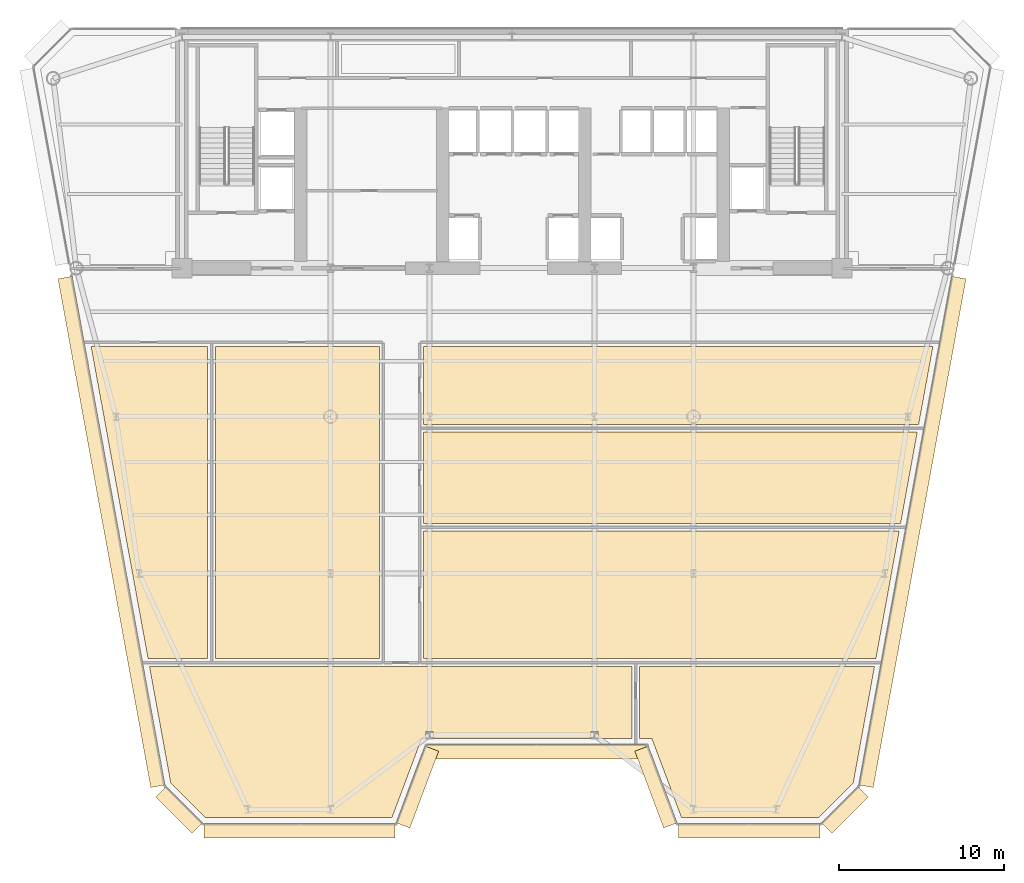
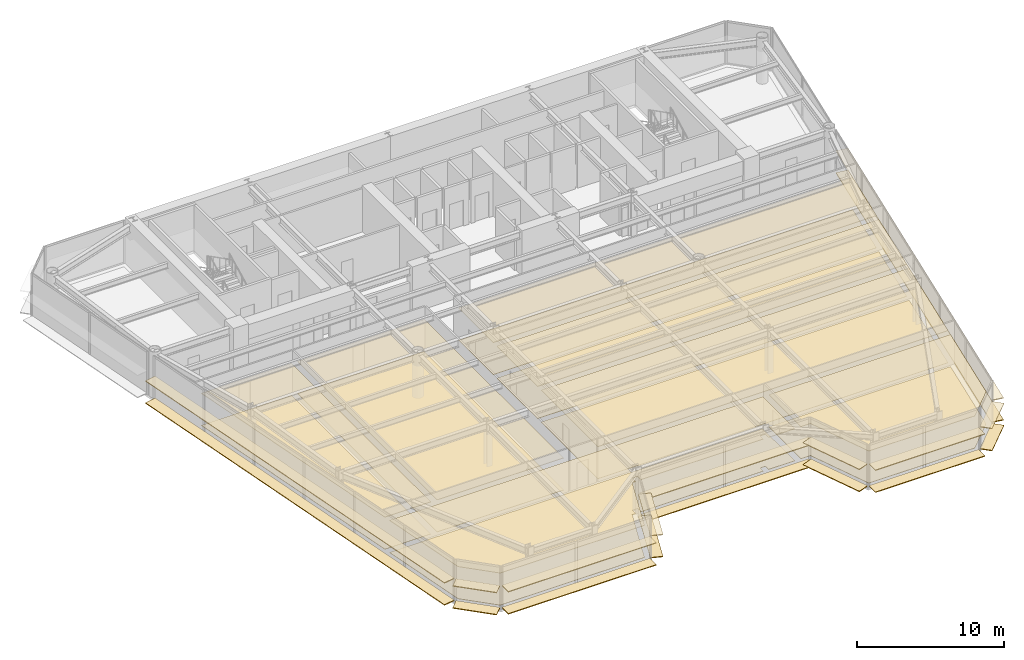
# One storey, part 14 of 17: 32 coverings.
"""IFC4 building model written with IfcOpenShell, lengths in metres."""

from ifc_helpers import new_model, si_unit, direction, frame, origin, origin_2d, place, context, subcontext, project, spatial, polyline, rectangle, outline, extrude, source, transform, mapped, material, layer, layer_set, type_object, element, save


model = new_model("IFC4")

# Units and contexts
model_context = context("Model", 3, precision=1e-05, world=origin(), true_north=direction((0.0, 1.0)))
body_context = subcontext(model_context, "Body", "Model", "MODEL_VIEW")
ifc_project = project(units=[si_unit("LENGTHUNIT", "METRE"), si_unit("AREAUNIT", "SQUARE_METRE"), si_unit("VOLUMEUNIT", "CUBIC_METRE"), si_unit("PLANEANGLEUNIT", "RADIAN"), si_unit("MASSUNIT", "GRAM", prefix="KILO")], contexts=[model_context])

# Site, building, storey
site_placement = place(None, origin())
site = spatial("IfcSite", under=ifc_project, at=site_placement, CompositionType="ELEMENT")
building_placement = place(site_placement, origin())
building = spatial("IfcBuilding", under=site, at=building_placement, Name="Vaeldorn Concourse Tower", CompositionType="ELEMENT")
storey_placement = place(building_placement, frame((0.0, 0.0, 161.39990234375)))
storey = spatial("IfcBuildingStorey", under=building, at=storey_placement, Name="L41", CompositionType="ELEMENT", Elevation=161.39990234375)

# Coverings
ifc_material_1 = material(Name="Acoustic Mineral Fibre Board", Category="gypsum")
ifc_layer_1 = layer(ifc_material_1, 0.0400390625)
ifc_layer_set_1 = layer_set([ifc_layer_1], Name="Acoustic Mineral Fibre Board")
covering_type_1 = type_object("IfcCoveringType", Name="COV-CEIL-ACOUSTIC", PredefinedType="CEILING", material=ifc_layer_set_1)
covering_1_placement = place(storey_placement, frame((0.0, 0.0, 2.650146484375)))
element("IfcCovering", 1, at=covering_1_placement, inside=storey, type_object=covering_type_1, Name="Suspended Acoustic Ceiling L41-5", PredefinedType="CEILING", context=body_context, shape_type="SweptSolid", body=[
    extrude(outline(polyline([(41.260009765625, 12.360107421875), (41.260009765625, 8.0), (39.2119140625, 8.0), (39.2119140625, 8.43701171875), (38.7880859375, 8.43701171875), (38.7880859375, 8.0), (29.2119140625, 8.0), (29.2119140625, 8.43701171875), (28.7880859375, 8.43701171875), (28.7880859375, 8.0), (28.522705078125, 8.0), (26.722900390625, 3.199951171875), (15.418701171875, 3.199951171875), (13.32421875, 5.294677734375), (12.035400390625, 12.360107421875), (41.260009765625, 12.360107421875)])), origin(), (0.0, 0.0, 1.0), 0.0400390625),
])
covering_2_placement = place(storey_placement, frame((0.0, 0.0, 2.650146484375)))
element("IfcCovering", 2, at=covering_2_placement, inside=storey, type_object=covering_type_1, Name="Suspended Acoustic Ceiling L41-6", PredefinedType="CEILING", context=body_context, shape_type="SweptSolid", body=[
    extrude(outline(polyline([(41.739990234375, 8.0), (41.739990234375, 12.360107421875), (55.964599609375, 12.360107421875), (54.67578125, 5.294677734375), (52.581298828125, 3.199951171875), (44.277099609375, 3.199951171875), (42.477294921875, 8.0), (41.739990234375, 8.0)])), origin(), (0.0, 0.0, 1.0), 0.0400390625),
])
covering_3_placement = place(storey_placement, frame((0.0, 0.0, 2.650146484375)))
element("IfcCovering", 3, at=covering_3_placement, inside=storey, type_object=covering_type_1, Name="Suspended Acoustic Ceiling L41-7", PredefinedType="CEILING", context=body_context, shape_type="SweptSolid", body=[
    extrude(outline(polyline([(15.56005859375, 31.760009765625), (15.56005859375, 12.840087890625), (11.94775390625, 12.840087890625), (8.49658203125, 31.760009765625), (15.56005859375, 31.760009765625)])), origin(), (0.0, 0.0, 1.0), 0.0400390625),
])
covering_4_placement = place(storey_placement, frame((0.0, 0.0, 2.650146484375)))
element("IfcCovering", 4, at=covering_4_placement, inside=storey, type_object=covering_type_1, Name="Suspended Acoustic Ceiling L41-8", PredefinedType="CEILING", context=body_context, shape_type="SweptSolid", body=[
    extrude(outline(polyline([(16.0400390625, 31.760009765625), (25.9599609375, 31.760009765625), (25.9599609375, 12.840087890625), (16.0400390625, 12.840087890625), (16.0400390625, 31.760009765625)])), origin(), (0.0, 0.0, 1.0), 0.0400390625),
])
covering_5_placement = place(storey_placement, frame((0.0, 0.0, 2.650146484375)))
element("IfcCovering", 5, at=covering_5_placement, inside=storey, type_object=covering_type_1, Name="Suspended Acoustic Ceiling L41-9", PredefinedType="CEILING", context=body_context, shape_type="SweptSolid", body=[
    extrude(outline(polyline([(28.639892578125, 12.840087890625), (28.639892578125, 20.56005859375), (57.46044921875, 20.56005859375), (56.05224609375, 12.840087890625), (28.639892578125, 12.840087890625)])), origin(), (0.0, 0.0, 1.0), 0.0400390625),
])
covering_6_placement = place(storey_placement, frame((0.0, 0.0, 2.650146484375)))
element("IfcCovering", 6, at=covering_6_placement, inside=storey, type_object=covering_type_1, Name="Suspended Acoustic Ceiling L41-10", PredefinedType="CEILING", context=body_context, shape_type="SweptSolid", body=[
    extrude(outline(polyline([(28.639892578125, 21.0400390625), (28.639892578125, 26.56005859375), (58.554931640625, 26.56005859375), (57.548095703125, 21.0400390625), (28.639892578125, 21.0400390625)])), origin(), (0.0, 0.0, 1.0), 0.0400390625),
])
covering_7_placement = place(storey_placement, frame((0.0, 0.0, 2.650146484375)))
element("IfcCovering", 7, at=covering_7_placement, inside=storey, type_object=covering_type_1, Name="Suspended Acoustic Ceiling L41-11", PredefinedType="CEILING", context=body_context, shape_type="SweptSolid", body=[
    extrude(outline(polyline([(28.639892578125, 31.760009765625), (59.50341796875, 31.760009765625), (58.642578125, 27.0400390625), (28.639892578125, 27.0400390625), (28.639892578125, 31.760009765625)])), origin(), (0.0, 0.0, 1.0), 0.0400390625),
])
ifc_material_2 = material(Name="Honed Limestone Terrazzo Flooring", Category="masonry")
ifc_layer_2 = layer(ifc_material_2, 0.0400390625)
ifc_layer_set_2 = layer_set([ifc_layer_2], Name="Honed Limestone Terrazzo Flooring")
covering_type_2 = type_object("IfcCoveringType", Name="COV-FLOOR-STONE", PredefinedType="FLOORING", material=ifc_layer_set_2)
covering_8_placement = place(storey_placement, origin())
element("IfcCovering", 8, at=covering_8_placement, inside=storey, type_object=covering_type_2, Name="Floor Finish Covering L41-5", PredefinedType="FLOORING", context=body_context, shape_type="SweptSolid", body=[
    extrude(outline(polyline([(41.260009765625, 12.360107421875), (41.260009765625, 8.0), (39.2119140625, 8.0), (39.2119140625, 8.43701171875), (38.7880859375, 8.43701171875), (38.7880859375, 8.0), (29.2119140625, 8.0), (29.2119140625, 8.43701171875), (28.7880859375, 8.43701171875), (28.7880859375, 8.0), (28.522705078125, 8.0), (26.722900390625, 3.199951171875), (15.418701171875, 3.199951171875), (13.32421875, 5.294677734375), (12.035400390625, 12.360107421875), (41.260009765625, 12.360107421875)])), origin(), (0.0, 0.0, 1.0), 0.030029296875),
])
covering_9_placement = place(storey_placement, origin())
element("IfcCovering", 9, at=covering_9_placement, inside=storey, type_object=covering_type_2, Name="Floor Finish Covering L41-6", PredefinedType="FLOORING", context=body_context, shape_type="SweptSolid", body=[
    extrude(outline(polyline([(41.739990234375, 8.0), (41.739990234375, 12.360107421875), (55.964599609375, 12.360107421875), (54.67578125, 5.294677734375), (52.581298828125, 3.199951171875), (44.277099609375, 3.199951171875), (42.477294921875, 8.0), (41.739990234375, 8.0)])), origin(), (0.0, 0.0, 1.0), 0.030029296875),
])
covering_10_placement = place(storey_placement, origin())
element("IfcCovering", 10, at=covering_10_placement, inside=storey, type_object=covering_type_2, Name="Floor Finish Covering L41-7", PredefinedType="FLOORING", context=body_context, shape_type="SweptSolid", body=[
    extrude(outline(polyline([(15.56005859375, 31.760009765625), (15.56005859375, 12.840087890625), (11.94775390625, 12.840087890625), (8.49658203125, 31.760009765625), (15.56005859375, 31.760009765625)])), origin(), (0.0, 0.0, 1.0), 0.030029296875),
])
covering_11_placement = place(storey_placement, origin())
element("IfcCovering", 11, at=covering_11_placement, inside=storey, type_object=covering_type_2, Name="Floor Finish Covering L41-8", PredefinedType="FLOORING", context=body_context, shape_type="SweptSolid", body=[
    extrude(outline(polyline([(16.0400390625, 31.760009765625), (25.9599609375, 31.760009765625), (25.9599609375, 12.840087890625), (16.0400390625, 12.840087890625), (16.0400390625, 31.760009765625)])), origin(), (0.0, 0.0, 1.0), 0.030029296875),
])
covering_12_placement = place(storey_placement, origin())
element("IfcCovering", 12, at=covering_12_placement, inside=storey, type_object=covering_type_2, Name="Floor Finish Covering L41-9", PredefinedType="FLOORING", context=body_context, shape_type="SweptSolid", body=[
    extrude(outline(polyline([(28.639892578125, 12.840087890625), (28.639892578125, 20.56005859375), (57.46044921875, 20.56005859375), (56.05224609375, 12.840087890625), (28.639892578125, 12.840087890625)])), origin(), (0.0, 0.0, 1.0), 0.030029296875),
])
covering_13_placement = place(storey_placement, origin())
element("IfcCovering", 13, at=covering_13_placement, inside=storey, type_object=covering_type_2, Name="Floor Finish Covering L41-10", PredefinedType="FLOORING", context=body_context, shape_type="SweptSolid", body=[
    extrude(outline(polyline([(28.639892578125, 21.0400390625), (28.639892578125, 26.56005859375), (58.554931640625, 26.56005859375), (57.548095703125, 21.0400390625), (28.639892578125, 21.0400390625)])), origin(), (0.0, 0.0, 1.0), 0.030029296875),
])
covering_14_placement = place(storey_placement, origin())
element("IfcCovering", 14, at=covering_14_placement, inside=storey, type_object=covering_type_2, Name="Floor Finish Covering L41-11", PredefinedType="FLOORING", context=body_context, shape_type="SweptSolid", body=[
    extrude(outline(polyline([(28.639892578125, 31.760009765625), (59.50341796875, 31.760009765625), (58.642578125, 27.0400390625), (28.639892578125, 27.0400390625), (28.639892578125, 31.760009765625)])), origin(), (0.0, 0.0, 1.0), 0.030029296875),
])
ifc_material_3 = material(Name="Anodised Bronze Aluminium", Category="aluminium")
ifc_layer_3 = layer(ifc_material_3, 0.06494140625)
ifc_layer_set_3 = layer_set([ifc_layer_3], Name="Anodised Bronze Aluminium")
covering_type_3 = type_object("IfcCoveringType", Name="SD-BRONZE-SUNSHADE", PredefinedType="USERDEFINED", material=ifc_layer_set_3)
shared_shape_1 = source(origin(), body_context, "Body", "SweptSolid", [
    extrude(rectangle(XDim=4.96630859375, YDim=0.8798828125, at=origin_2d()), origin(), (0.0, 0.0, 1.0), 0.06494140625),
])
for number, where, z_axis, x_axis, name in (
    (15, (28.2744140625, 5.0595703125, 0.047607421875), (0.0, 0.0, 1.0), (0.351122702609, 0.936329454686, 0.0), "Horizontal Bronze Sunshade L41-E02.1.1"),
    (16, (28.2744140625, 5.0595703125, 1.86767578125), (0.0, 0.0, 1.0), (0.351122702609, 0.936329454686, 0.0), "Horizontal Bronze Sunshade L41-E02.1.2"),
    (17, (42.7255859375, 5.0595703125, 0.047607421875), (0.0, 0.0, 1.0), (0.351122702609, -0.936329454686, 0.0), "Horizontal Bronze Sunshade L41-E04.1.1"),
    (18, (42.7255859375, 5.0595703125, 1.86767578125), (0.0, 0.0, 1.0), (0.351122702609, -0.936329454686, 0.0), "Horizontal Bronze Sunshade L41-E04.1.2"),
):
    element("IfcCovering", number, at=place(storey_placement, frame(where, z_axis=z_axis, x_axis=x_axis)), inside=storey, type_object=covering_type_3, Name=name, ObjectType="SUNSHADE", PredefinedType="USERDEFINED", context=body_context, shape_type="MappedRepresentation", body=[
        mapped(shared_shape_1, transform((0.0, 0.0, 0.0), scale=1.0)),
    ])
shared_shape_2 = source(origin(), body_context, "Body", "SweptSolid", [
    extrude(rectangle(XDim=13.239990234375, YDim=0.8798828125, at=origin_2d()), origin(), (0.0, 0.0, 1.0), 0.06494140625),
])
for number, where, z_axis, x_axis, name in (
    (19, (35.5, 7.199951171875, 0.047607421875), (0.0, 0.0, 1.0), (1.0, 0.0, 0.0), "Horizontal Bronze Sunshade L41-E03.1.1"),
    (20, (35.5, 7.199951171875, 1.86767578125), (0.0, 0.0, 1.0), (1.0, 0.0, 0.0), "Horizontal Bronze Sunshade L41-E03.1.2"),
):
    element("IfcCovering", number, at=place(storey_placement, frame(where, z_axis=z_axis, x_axis=x_axis)), inside=storey, type_object=covering_type_3, Name=name, ObjectType="SUNSHADE", PredefinedType="USERDEFINED", context=body_context, shape_type="MappedRepresentation", body=[
        mapped(shared_shape_2, transform((0.0, 0.0, 0.0), scale=1.0)),
    ])
shared_shape_3 = source(origin(), body_context, "Body", "SweptSolid", [
    extrude(rectangle(XDim=3.0927734375, YDim=0.8798828125, at=origin_2d()), origin(), (0.0, 0.0, 1.0), 0.06494140625),
])
for number, where, z_axis, x_axis, name in (
    (21, (54.1796875, 3.667236328125, 0.047607421875), (0.0, 0.0, 1.0), (0.707106781187, 0.707106781187, 0.0), "Horizontal Bronze Sunshade L41-E06.1.1"),
    (22, (54.1796875, 3.667236328125, 1.86767578125), (0.0, 0.0, 1.0), (0.707106781187, 0.707106781187, 0.0), "Horizontal Bronze Sunshade L41-E06.1.2"),
    (23, (13.8203125, 3.667236328125, 0.047607421875), (0.0, 0.0, 1.0), (0.707106781187, -0.707106781187, 0.0), "Horizontal Bronze Sunshade L41-E12.1.1"),
    (24, (13.8203125, 3.667236328125, 1.86767578125), (0.0, 0.0, 1.0), (0.707106781187, -0.707106781187, 0.0), "Horizontal Bronze Sunshade L41-E12.1.2"),
):
    element("IfcCovering", number, at=place(storey_placement, frame(where, z_axis=z_axis, x_axis=x_axis)), inside=storey, type_object=covering_type_3, Name=name, ObjectType="SUNSHADE", PredefinedType="USERDEFINED", context=body_context, shape_type="MappedRepresentation", body=[
        mapped(shared_shape_3, transform((0.0, 0.0, 0.0), scale=1.0)),
    ])
shared_shape_4 = source(origin(), body_context, "Body", "SweptSolid", [
    extrude(rectangle(XDim=11.5869140625, YDim=0.8798828125, at=origin_2d()), origin(), (0.0, 0.0, 1.0), 0.06494140625),
])
for number, where, z_axis, x_axis, name in (
    (25, (21.12646484375, 2.39990234375, 0.047607421875), (0.0, 0.0, 1.0), (1.0, 0.0, 0.0), "Horizontal Bronze Sunshade L41-E01.1.1"),
    (26, (21.12646484375, 2.39990234375, 1.86767578125), (0.0, 0.0, 1.0), (1.0, 0.0, 0.0), "Horizontal Bronze Sunshade L41-E01.1.2"),
):
    element("IfcCovering", number, at=place(storey_placement, frame(where, z_axis=z_axis, x_axis=x_axis)), inside=storey, type_object=covering_type_3, Name=name, ObjectType="SUNSHADE", PredefinedType="USERDEFINED", context=body_context, shape_type="MappedRepresentation", body=[
        mapped(shared_shape_4, transform((0.0, 0.0, 0.0), scale=1.0)),
    ])
shared_shape_5 = source(origin(), body_context, "Body", "SweptSolid", [
    extrude(rectangle(XDim=8.5869140625, YDim=0.8798828125, at=origin_2d()), origin(), (0.0, 0.0, 1.0), 0.06494140625),
])
for number, where, z_axis, x_axis, name in (
    (27, (48.37353515625, 2.39990234375, 0.047607421875), (0.0, 0.0, 1.0), (1.0, 0.0, 0.0), "Horizontal Bronze Sunshade L41-E05.1.1"),
    (28, (48.37353515625, 2.39990234375, 1.86767578125), (0.0, 0.0, 1.0), (1.0, 0.0, 0.0), "Horizontal Bronze Sunshade L41-E05.1.2"),
):
    element("IfcCovering", number, at=place(storey_placement, frame(where, z_axis=z_axis, x_axis=x_axis)), inside=storey, type_object=covering_type_3, Name=name, ObjectType="SUNSHADE", PredefinedType="USERDEFINED", context=body_context, shape_type="MappedRepresentation", body=[
        mapped(shared_shape_5, transform((0.0, 0.0, 0.0), scale=1.0)),
    ])
shared_shape_6 = source(origin(), body_context, "Body", "SweptSolid", [
    extrude(rectangle(XDim=31.334716796875, YDim=0.8798828125, at=origin_2d()), origin(), (0.0, 0.0, 1.0), 0.06494140625),
])
for number, where, z_axis, x_axis, name in (
    (29, (58.266357421875, 20.52001953125, 0.047607421875), (0.0, 0.0, 1.0), (0.179437543025, 0.983769367359, 0.0), "Horizontal Bronze Sunshade L41-E07.1.1"),
    (30, (58.266357421875, 20.52001953125, 1.86767578125), (0.0, 0.0, 1.0), (0.179437543025, 0.983769367359, 0.0), "Horizontal Bronze Sunshade L41-E07.1.2"),
    (31, (9.733642578125, 20.52001953125, 0.047607421875), (0.0, 0.0, 1.0), (0.179437543025, -0.983769367359, 0.0), "Horizontal Bronze Sunshade L41-E11.2.1"),
    (32, (9.733642578125, 20.52001953125, 1.86767578125), (0.0, 0.0, 1.0), (0.179437543025, -0.983769367359, 0.0), "Horizontal Bronze Sunshade L41-E11.2.2"),
):
    element("IfcCovering", number, at=place(storey_placement, frame(where, z_axis=z_axis, x_axis=x_axis)), inside=storey, type_object=covering_type_3, Name=name, ObjectType="SUNSHADE", PredefinedType="USERDEFINED", context=body_context, shape_type="MappedRepresentation", body=[
        mapped(shared_shape_6, transform((0.0, 0.0, 0.0), scale=1.0)),
    ])

save(model, "model.ifc")
